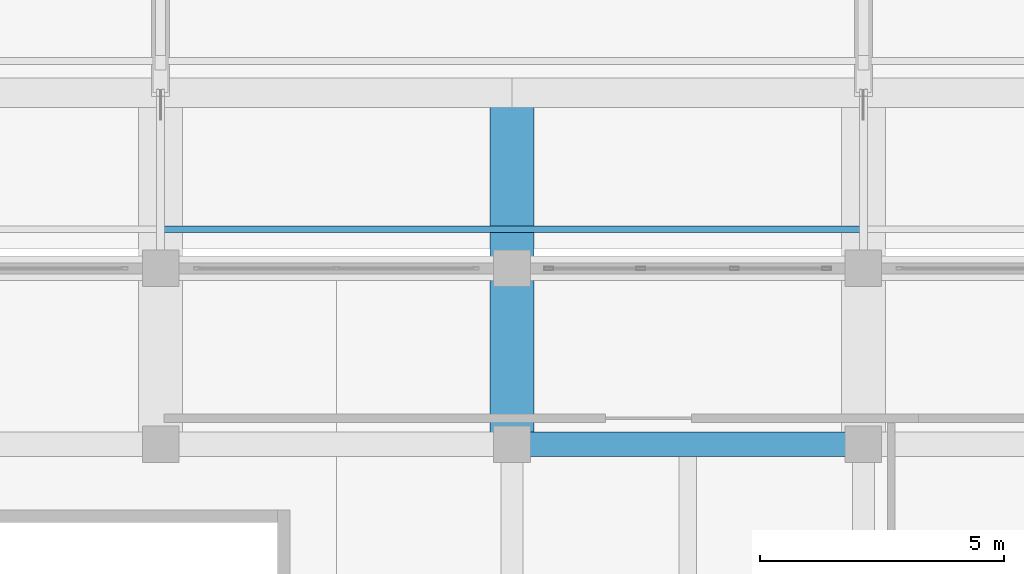
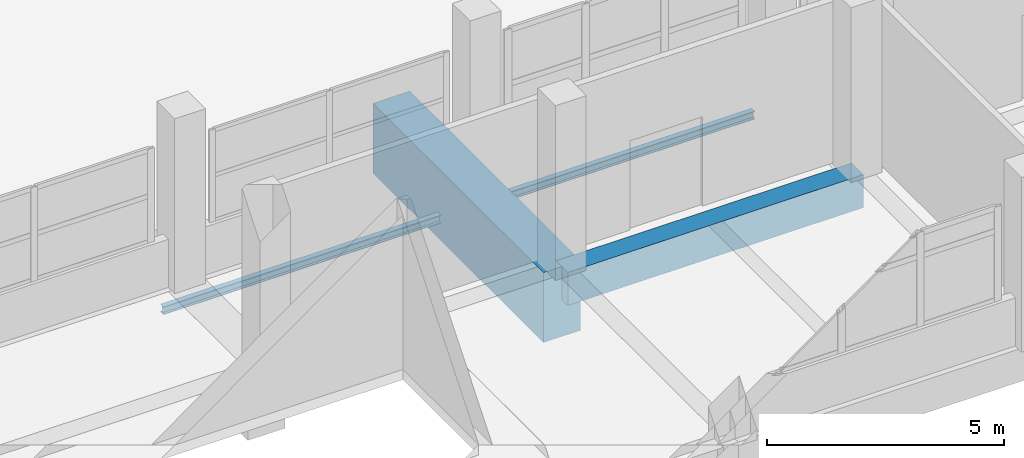
# One storey, part 85 of 141: 2 beams, 1 member.
"""IFC4 building model written with IfcOpenShell, lengths in metres."""

from ifc_helpers import new_model, si_unit, direction, frame, origin, origin_2d, place, context, subcontext, project, spatial, rectangle, i_section, extrude, material, material_profile, profile_set, type_object, element, save


model = new_model("IFC4")

# Units and contexts
model_context = context("Model", 3, precision=1e-05, world=origin(), true_north=direction((0.0, 1.0)))
body_context = subcontext(model_context, "Body", "Model", "MODEL_VIEW")
ifc_project = project(units=[si_unit("LENGTHUNIT", "METRE"), si_unit("AREAUNIT", "SQUARE_METRE"), si_unit("VOLUMEUNIT", "CUBIC_METRE"), si_unit("PLANEANGLEUNIT", "RADIAN"), si_unit("MASSUNIT", "GRAM", prefix="KILO")], contexts=[model_context])

# Site, building, storey
site_placement = place(None, origin())
site = spatial("IfcSite", under=ifc_project, at=site_placement, CompositionType="ELEMENT")
building_placement = place(site_placement, origin())
building = spatial("IfcBuilding", under=site, at=building_placement, Name="Seraya Terrace Polytechnic", CompositionType="ELEMENT")
storey_placement = place(building_placement, frame((0.0, 0.0, 14.39990234375)))
storey = spatial("IfcBuildingStorey", under=building, at=storey_placement, Name="L03", CompositionType="ELEMENT", Elevation=14.39990234375)

# Beam
ifc_material_1 = material(Name="Concrete C40/50", Category="concrete")
ifc_material_profile_1 = material_profile(ifc_material_1, rectangle(XDim=0.5, YDim=0.85009765625, at=origin_2d()), Name="RC 500x850")
ifc_profile_set_1 = profile_set([ifc_material_profile_1], Name="Concrete C40/50")
beam_type_1 = type_object("IfcBeamType", Name="BM-05", PredefinedType="BEAM", material=ifc_profile_set_1)
beam_1_placement = place(storey_placement, frame((64.800048828125, 72.0, -0.4248046875), z_axis=(1.0, 0.0, 0.0), x_axis=(0.0, 1.0, 0.0)))
element("IfcBeam", 1, at=beam_1_placement, inside=storey, type_object=beam_type_1, Name="Beam BM-05 L03 X (64.8..72.0, 72.0)", PredefinedType="BEAM", context=body_context, shape_type="SweptSolid", body=[
    extrude(rectangle(XDim=0.5, YDim=0.85009765625, at=origin_2d()), origin(), (0.0, 0.0, 1.0), 7.199951171875),
])

# Member
ifc_material_2 = material(Name="Steel S355J2", Category="steel")
ifc_material_profile_2 = material_profile(ifc_material_2, i_section(OverallWidth=0.133056640625, OverallDepth=0.202880859375, WebThickness=0.00634765625, FlangeThickness=0.01171875, at=origin_2d()), Name="UKB 203x133x6.4x11.8")
ifc_profile_set_2 = profile_set([ifc_material_profile_2], Name="Steel S355J2")
member_type = type_object("IfcMemberType", Name="PR-02", PredefinedType="PURLIN", material=ifc_profile_set_2)
member_placement = place(storey_placement, frame((57.60009765625, 76.39990234375, -1.247802734375), z_axis=(1.0, 0.0, 0.0), x_axis=(0.0, 1.0, 0.0)))
element("IfcMember", 2, at=member_placement, inside=storey, type_object=member_type, Name="Workshop roof purlin PR-02 bay 4.1", PredefinedType="PURLIN", context=body_context, shape_type="SweptSolid", body=[
    extrude(i_section(OverallWidth=0.133056640625, OverallDepth=0.202880859375, WebThickness=0.00634765625, FlangeThickness=0.01171875, at=origin_2d()), origin(), (0.0, 0.0, 1.0), 14.39990234375),
])

# Beam
ifc_material_profile_3 = material_profile(ifc_material_1, rectangle(XDim=0.89990234375, YDim=1.800048828125, at=origin_2d()), Name="RC 900x1800")
ifc_profile_set_3 = profile_set([ifc_material_profile_3], Name="Concrete C40/50")
beam_type_2 = type_object("IfcBeamType", Name="TG-01", PredefinedType="USERDEFINED", material=ifc_profile_set_3)
beam_2_placement = place(storey_placement, frame((64.800048828125, 72.0, -0.89990234375), z_axis=(0.0, 1.0, 0.0), x_axis=(-1.0, 0.0, 0.0)))
element("IfcBeam", 3, at=beam_2_placement, inside=storey, type_object=beam_type_2, Name="Transfer girder TG-01 L03 #15", ObjectType="GIRDER", PredefinedType="USERDEFINED", context=body_context, shape_type="SweptSolid", body=[
    extrude(rectangle(XDim=0.89990234375, YDim=1.800048828125, at=origin_2d()), origin(), (0.0, 0.0, 1.0), 7.199951171875),
])

save(model, "model.ifc")
